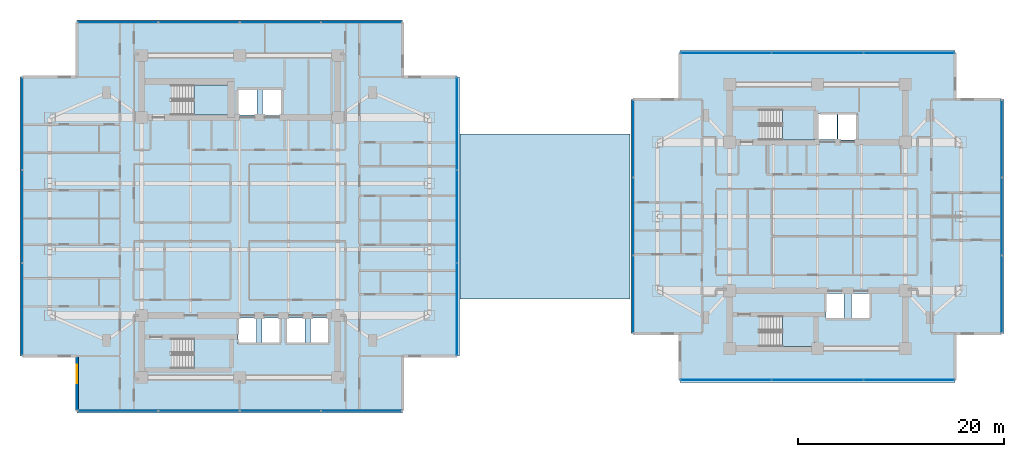
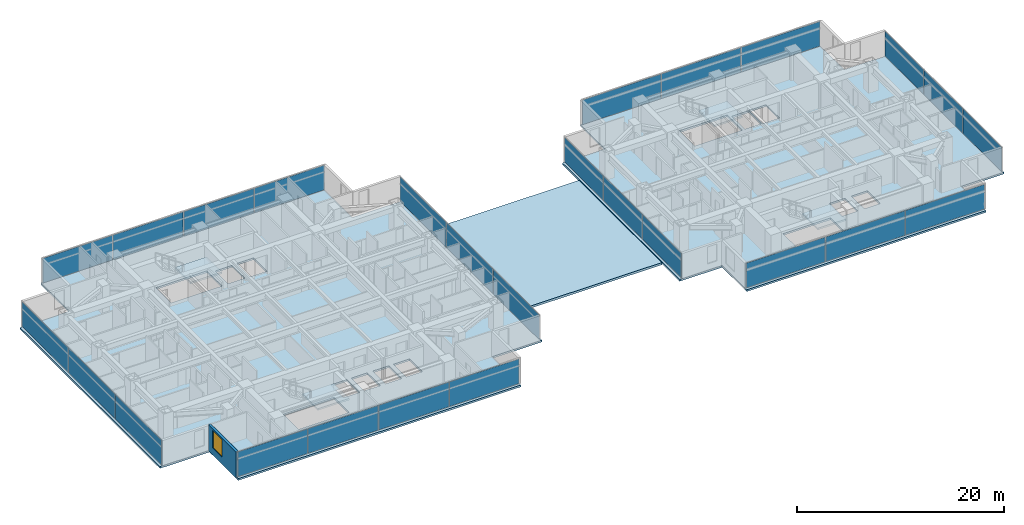
# One storey, part 12 of 26: 26 plates, 7 slabs, 1 wall, 1 window, 1 opening, 12 elements without a shape of their own.
"""IFC4 building model written with IfcOpenShell, lengths in metres."""

from ifc_helpers import new_model, si_unit, direction, frame, frame_2d, origin, origin_2d, place, context, subcontext, project, spatial, polyline, rectangle, outline, extrude, material, layer, layer_set, type_object, element, fill, aggregate, save


model = new_model("IFC4")

# Units and contexts
model_context = context("Model", 3, precision=1e-05, world=origin(), true_north=direction((0.0, 1.0)))
body_context = subcontext(model_context, "Body", "Model", "MODEL_VIEW")
ifc_project = project(units=[si_unit("LENGTHUNIT", "METRE"), si_unit("AREAUNIT", "SQUARE_METRE"), si_unit("VOLUMEUNIT", "CUBIC_METRE"), si_unit("PLANEANGLEUNIT", "RADIAN"), si_unit("MASSUNIT", "GRAM", prefix="KILO")], contexts=[model_context])

# Site, building, storey
site_placement = place(None, origin())
site = spatial("IfcSite", under=ifc_project, at=site_placement, CompositionType="ELEMENT")
building_placement = place(site_placement, origin())
building = spatial("IfcBuilding", under=site, at=building_placement, Name="Mirazonda Arch Towers", CompositionType="ELEMENT")
storey_placement = place(building_placement, frame((0.0, 0.0, 98.300048828125)))
storey = spatial("IfcBuildingStorey", under=building, at=storey_placement, Name="L27", CompositionType="ELEMENT", Elevation=98.300048828125)

# Curtain wall, plates
ifc_material_1 = material(Name="Anodised Aluminium and Low-E Glass", Category="aluminium")
curtain_wall_type = type_object("IfcCurtainWallType", Name="CW-HTL-UNIT", PredefinedType="NOTDEFINED", material=ifc_material_1)
curtain_wall_1_placement = place(storey_placement, origin())
curtain_wall_1 = element("IfcCurtainWall", 1, at=curtain_wall_1_placement, inside=storey, type_object=curtain_wall_type, Name="L27 T1 S Facade CW-L27-T1-S", PredefinedType="NOTDEFINED")
ifc_material_2 = material(Name="Insulated Low-E Solar Glass", Category="glass")
ifc_layer_1 = layer(ifc_material_2, 0.035888671875, Name="PAN-CW-HTL-UNIT")
ifc_layer_set_1 = layer_set([ifc_layer_1], Name="Insulated Low-E Solar Glass")
plate_type = type_object("IfcPlateType", Name="PAN-CW-HTL-UNIT", PredefinedType="CURTAIN_PANEL", material=ifc_layer_set_1)
plate_1_placement = place(storey_placement, frame((32.304931640625, 9.176025390625, 0.0751953125), z_axis=(0.0, 0.0, 1.0), x_axis=(-1.0, 0.0, 0.0)))
plate_1 = element("IfcPlate", 2, at=plate_1_placement, type_object=plate_type, Name="CW-112 panel 1.1", PredefinedType="CURTAIN_PANEL", context=body_context, shape_type="SweptSolid", body=[
    extrude(rectangle(XDim=7.77001953125, YDim=0.035888671875, at=origin_2d()), origin(), (0.0, 0.0, 1.0), 2.909912109375),
])
plate_2_placement = place(storey_placement, frame((24.441162109375, 9.176025390625, 0.0751953125), z_axis=(0.0, 0.0, 1.0), x_axis=(-1.0, 0.0, 0.0)))
plate_2 = element("IfcPlate", 3, at=plate_2_placement, type_object=plate_type, Name="CW-112 panel 2.1", PredefinedType="CURTAIN_PANEL", context=body_context, shape_type="SweptSolid", body=[
    extrude(rectangle(XDim=7.8076171875, YDim=0.035888671875, at=origin_2d()), origin(), (0.0, 0.0, 1.0), 2.909912109375),
])
plate_3_placement = place(storey_placement, frame((16.558837890625, 9.176025390625, 0.0751953125), z_axis=(0.0, 0.0, 1.0), x_axis=(-1.0, 0.0, 0.0)))
plate_3 = element("IfcPlate", 4, at=plate_3_placement, type_object=plate_type, Name="CW-112 panel 3.1", PredefinedType="CURTAIN_PANEL", context=body_context, shape_type="SweptSolid", body=[
    extrude(rectangle(XDim=7.8076171875, YDim=0.035888671875, at=origin_2d()), origin(), (0.0, 0.0, 1.0), 2.909912109375),
])
plate_4_placement = place(storey_placement, frame((8.695068359375, 9.176025390625, 0.0751953125), z_axis=(0.0, 0.0, 1.0), x_axis=(-1.0, 0.0, 0.0)))
plate_4 = element("IfcPlate", 5, at=plate_4_placement, type_object=plate_type, Name="CW-112 panel 4.1", PredefinedType="CURTAIN_PANEL", context=body_context, shape_type="SweptSolid", body=[
    extrude(rectangle(XDim=7.77001953125, YDim=0.035888671875, at=origin_2d()), origin(), (0.0, 0.0, 1.0), 2.909912109375),
])
aggregate(curtain_wall_1, [plate_1, plate_2, plate_3, plate_4])

curtain_wall_2_placement = place(storey_placement, origin())
curtain_wall_2 = element("IfcCurtainWall", 6, at=curtain_wall_2_placement, inside=storey, type_object=curtain_wall_type, Name="L27 T1 E Facade CW-L27-T1-E", PredefinedType="NOTDEFINED")
plate_5_placement = place(storey_placement, frame((41.570068359375, 19.006103515625, 0.0751953125), z_axis=(0.0, 0.0, 1.0), x_axis=(0.0, 1.0, 0.0)))
plate_5 = element("IfcPlate", 7, at=plate_5_placement, type_object=plate_type, Name="CW-112 panel 1.1", PredefinedType="CURTAIN_PANEL", context=body_context, shape_type="SweptSolid", body=[
    extrude(rectangle(XDim=8.900146484375, YDim=0.035888671875, at=origin_2d()), origin(), (0.0, 0.0, 1.0), 2.909912109375),
])
plate_6_placement = place(storey_placement, frame((41.570068359375, 28.0, 0.0751953125), z_axis=(0.0, 0.0, 1.0), x_axis=(0.0, 1.0, 0.0)))
plate_6 = element("IfcPlate", 8, at=plate_6_placement, type_object=plate_type, Name="CW-112 panel 2.1", PredefinedType="CURTAIN_PANEL", context=body_context, shape_type="SweptSolid", body=[
    extrude(rectangle(XDim=8.937744140625, YDim=0.035888671875, at=origin_2d()), origin(), (0.0, 0.0, 1.0), 2.909912109375),
])
plate_7_placement = place(storey_placement, frame((41.570068359375, 36.993896484375, 0.0751953125), z_axis=(0.0, 0.0, 1.0), x_axis=(0.0, 1.0, 0.0)))
plate_7 = element("IfcPlate", 9, at=plate_7_placement, type_object=plate_type, Name="CW-112 panel 3.1", PredefinedType="CURTAIN_PANEL", context=body_context, shape_type="SweptSolid", body=[
    extrude(rectangle(XDim=8.900146484375, YDim=0.035888671875, at=origin_2d()), origin(), (0.0, 0.0, 1.0), 2.909912109375),
])
aggregate(curtain_wall_2, [plate_5, plate_6, plate_7])

curtain_wall_3_placement = place(storey_placement, origin())
curtain_wall_3 = element("IfcCurtainWall", 10, at=curtain_wall_3_placement, inside=storey, type_object=curtain_wall_type, Name="L27 T1 N Facade CW-L27-T1-N", PredefinedType="NOTDEFINED")
plate_8_placement = place(storey_placement, frame((8.695068359375, 46.823974609375, 0.0751953125), z_axis=(0.0, 0.0, 1.0), x_axis=(1.0, 0.0, 0.0)))
plate_8 = element("IfcPlate", 11, at=plate_8_placement, type_object=plate_type, Name="CW-112 panel 1.1", PredefinedType="CURTAIN_PANEL", context=body_context, shape_type="SweptSolid", body=[
    extrude(rectangle(XDim=7.77001953125, YDim=0.035888671875, at=origin_2d()), origin(), (0.0, 0.0, 1.0), 2.909912109375),
])
plate_9_placement = place(storey_placement, frame((16.558837890625, 46.823974609375, 0.0751953125), z_axis=(0.0, 0.0, 1.0), x_axis=(1.0, 0.0, 0.0)))
plate_9 = element("IfcPlate", 12, at=plate_9_placement, type_object=plate_type, Name="CW-112 panel 2.1", PredefinedType="CURTAIN_PANEL", context=body_context, shape_type="SweptSolid", body=[
    extrude(rectangle(XDim=7.8076171875, YDim=0.035888671875, at=origin_2d()), origin(), (0.0, 0.0, 1.0), 2.909912109375),
])
plate_10_placement = place(storey_placement, frame((24.441162109375, 46.823974609375, 0.0751953125), z_axis=(0.0, 0.0, 1.0), x_axis=(1.0, 0.0, 0.0)))
plate_10 = element("IfcPlate", 13, at=plate_10_placement, type_object=plate_type, Name="CW-112 panel 3.1", PredefinedType="CURTAIN_PANEL", context=body_context, shape_type="SweptSolid", body=[
    extrude(rectangle(XDim=7.8076171875, YDim=0.035888671875, at=origin_2d()), origin(), (0.0, 0.0, 1.0), 2.909912109375),
])
plate_11_placement = place(storey_placement, frame((32.304931640625, 46.823974609375, 0.0751953125), z_axis=(0.0, 0.0, 1.0), x_axis=(1.0, 0.0, 0.0)))
plate_11 = element("IfcPlate", 14, at=plate_11_placement, type_object=plate_type, Name="CW-112 panel 4.1", PredefinedType="CURTAIN_PANEL", context=body_context, shape_type="SweptSolid", body=[
    extrude(rectangle(XDim=7.77001953125, YDim=0.035888671875, at=origin_2d()), origin(), (0.0, 0.0, 1.0), 2.909912109375),
])
aggregate(curtain_wall_3, [plate_8, plate_9, plate_10, plate_11])

curtain_wall_4_placement = place(storey_placement, origin())
curtain_wall_4 = element("IfcCurtainWall", 15, at=curtain_wall_4_placement, inside=storey, type_object=curtain_wall_type, Name="L27 T1 W Facade CW-L27-T1-W", PredefinedType="NOTDEFINED")
plate_12_placement = place(storey_placement, frame((-0.570068359375, 36.993896484375, 0.0751953125), z_axis=(0.0, 0.0, 1.0), x_axis=(0.0, -1.0, 0.0)))
plate_12 = element("IfcPlate", 16, at=plate_12_placement, type_object=plate_type, Name="CW-112 panel 1.1", PredefinedType="CURTAIN_PANEL", context=body_context, shape_type="SweptSolid", body=[
    extrude(rectangle(XDim=8.900146484375, YDim=0.035888671875, at=origin_2d()), origin(), (0.0, 0.0, 1.0), 2.909912109375),
])
plate_13_placement = place(storey_placement, frame((-0.570068359375, 28.0, 0.0751953125), z_axis=(0.0, 0.0, 1.0), x_axis=(0.0, -1.0, 0.0)))
plate_13 = element("IfcPlate", 17, at=plate_13_placement, type_object=plate_type, Name="CW-112 panel 2.1", PredefinedType="CURTAIN_PANEL", context=body_context, shape_type="SweptSolid", body=[
    extrude(rectangle(XDim=8.937744140625, YDim=0.035888671875, at=origin_2d()), origin(), (0.0, 0.0, 1.0), 2.909912109375),
])
plate_14_placement = place(storey_placement, frame((-0.570068359375, 19.006103515625, 0.0751953125), z_axis=(0.0, 0.0, 1.0), x_axis=(0.0, -1.0, 0.0)))
plate_14 = element("IfcPlate", 18, at=plate_14_placement, type_object=plate_type, Name="CW-112 panel 3.1", PredefinedType="CURTAIN_PANEL", context=body_context, shape_type="SweptSolid", body=[
    extrude(rectangle(XDim=8.900146484375, YDim=0.035888671875, at=origin_2d()), origin(), (0.0, 0.0, 1.0), 2.909912109375),
])
aggregate(curtain_wall_4, [plate_12, plate_13, plate_14])

curtain_wall_5_placement = place(storey_placement, origin())
curtain_wall_5 = element("IfcCurtainWall", 19, at=curtain_wall_5_placement, inside=storey, type_object=curtain_wall_type, Name="L27 T2 S Facade CW-L27-T2-S", PredefinedType="NOTDEFINED")
plate_15_placement = place(storey_placement, frame((85.374755859375, 12.152587890625, 0.0751953125), z_axis=(0.0, 0.0, 1.0), x_axis=(-1.0, 0.0, 0.0)))
plate_15 = element("IfcPlate", 20, at=plate_15_placement, type_object=plate_type, Name="CW-112 panel 1.1", PredefinedType="CURTAIN_PANEL", context=body_context, shape_type="SweptSolid", body=[
    extrude(rectangle(XDim=8.781005859375, YDim=0.035888671875, at=origin_2d()), origin(), (0.0, 0.0, 1.0), 2.909912109375),
])
plate_16_placement = place(storey_placement, frame((76.5, 12.152587890625, 0.0751953125), z_axis=(0.0, 0.0, 1.0), x_axis=(-1.0, 0.0, 0.0)))
plate_16 = element("IfcPlate", 21, at=plate_16_placement, type_object=plate_type, Name="CW-112 panel 2.1", PredefinedType="CURTAIN_PANEL", context=body_context, shape_type="SweptSolid", body=[
    extrude(rectangle(XDim=8.818359375, YDim=0.035888671875, at=origin_2d()), origin(), (0.0, 0.0, 1.0), 2.909912109375),
])
plate_17_placement = place(storey_placement, frame((67.625244140625, 12.152587890625, 0.0751953125), z_axis=(0.0, 0.0, 1.0), x_axis=(-1.0, 0.0, 0.0)))
plate_17 = element("IfcPlate", 22, at=plate_17_placement, type_object=plate_type, Name="CW-112 panel 3.1", PredefinedType="CURTAIN_PANEL", context=body_context, shape_type="SweptSolid", body=[
    extrude(rectangle(XDim=8.781005859375, YDim=0.035888671875, at=origin_2d()), origin(), (0.0, 0.0, 1.0), 2.909912109375),
])
aggregate(curtain_wall_5, [plate_15, plate_16, plate_17])

curtain_wall_6_placement = place(storey_placement, origin())
curtain_wall_6 = element("IfcCurtainWall", 23, at=curtain_wall_6_placement, inside=storey, type_object=curtain_wall_type, Name="L27 T2 E Facade CW-L27-T2-E", PredefinedType="NOTDEFINED")
plate_18_placement = place(storey_placement, frame((94.3564453125, 20.464599609375, 0.0751953125), z_axis=(0.0, 0.0, 1.0), x_axis=(0.0, 1.0, 0.0)))
plate_18 = element("IfcPlate", 24, at=plate_18_placement, type_object=plate_type, Name="CW-112 panel 1.1", PredefinedType="CURTAIN_PANEL", context=body_context, shape_type="SweptSolid", body=[
    extrude(rectangle(XDim=7.441650390625, YDim=0.035888671875, at=origin_2d()), origin(), (0.0, 0.0, 1.0), 2.909912109375),
])
plate_19_placement = place(storey_placement, frame((94.3564453125, 28.0, 0.0751953125), z_axis=(0.0, 0.0, 1.0), x_axis=(0.0, 1.0, 0.0)))
plate_19 = element("IfcPlate", 25, at=plate_19_placement, type_object=plate_type, Name="CW-112 panel 2.1", PredefinedType="CURTAIN_PANEL", context=body_context, shape_type="SweptSolid", body=[
    extrude(rectangle(XDim=7.47900390625, YDim=0.035888671875, at=origin_2d()), origin(), (0.0, 0.0, 1.0), 2.909912109375),
])
plate_20_placement = place(storey_placement, frame((94.3564453125, 35.535400390625, 0.0751953125), z_axis=(0.0, 0.0, 1.0), x_axis=(0.0, 1.0, 0.0)))
plate_20 = element("IfcPlate", 26, at=plate_20_placement, type_object=plate_type, Name="CW-112 panel 3.1", PredefinedType="CURTAIN_PANEL", context=body_context, shape_type="SweptSolid", body=[
    extrude(rectangle(XDim=7.441650390625, YDim=0.035888671875, at=origin_2d()), origin(), (0.0, 0.0, 1.0), 2.909912109375),
])
aggregate(curtain_wall_6, [plate_18, plate_19, plate_20])

curtain_wall_7_placement = place(storey_placement, origin())
curtain_wall_7 = element("IfcCurtainWall", 27, at=curtain_wall_7_placement, inside=storey, type_object=curtain_wall_type, Name="L27 T2 N Facade CW-L27-T2-N", PredefinedType="NOTDEFINED")
plate_21_placement = place(storey_placement, frame((67.625244140625, 43.847412109375, 0.0751953125), z_axis=(0.0, 0.0, 1.0), x_axis=(1.0, 0.0, 0.0)))
plate_21 = element("IfcPlate", 28, at=plate_21_placement, type_object=plate_type, Name="CW-112 panel 1.1", PredefinedType="CURTAIN_PANEL", context=body_context, shape_type="SweptSolid", body=[
    extrude(rectangle(XDim=8.781005859375, YDim=0.035888671875, at=origin_2d()), origin(), (0.0, 0.0, 1.0), 2.909912109375),
])
plate_22_placement = place(storey_placement, frame((76.5, 43.847412109375, 0.0751953125), z_axis=(0.0, 0.0, 1.0), x_axis=(1.0, 0.0, 0.0)))
plate_22 = element("IfcPlate", 29, at=plate_22_placement, type_object=plate_type, Name="CW-112 panel 2.1", PredefinedType="CURTAIN_PANEL", context=body_context, shape_type="SweptSolid", body=[
    extrude(rectangle(XDim=8.818359375, YDim=0.035888671875, at=origin_2d()), origin(), (0.0, 0.0, 1.0), 2.909912109375),
])
plate_23_placement = place(storey_placement, frame((85.374755859375, 43.847412109375, 0.0751953125), z_axis=(0.0, 0.0, 1.0), x_axis=(1.0, 0.0, 0.0)))
plate_23 = element("IfcPlate", 30, at=plate_23_placement, type_object=plate_type, Name="CW-112 panel 3.1", PredefinedType="CURTAIN_PANEL", context=body_context, shape_type="SweptSolid", body=[
    extrude(rectangle(XDim=8.781005859375, YDim=0.035888671875, at=origin_2d()), origin(), (0.0, 0.0, 1.0), 2.909912109375),
])
aggregate(curtain_wall_7, [plate_21, plate_22, plate_23])

curtain_wall_8_placement = place(storey_placement, origin())
curtain_wall_8 = element("IfcCurtainWall", 31, at=curtain_wall_8_placement, inside=storey, type_object=curtain_wall_type, Name="L27 T2 W Facade CW-L27-T2-W", PredefinedType="NOTDEFINED")
plate_24_placement = place(storey_placement, frame((58.6435546875, 35.535400390625, 0.0751953125), z_axis=(0.0, 0.0, 1.0), x_axis=(0.0, -1.0, 0.0)))
plate_24 = element("IfcPlate", 32, at=plate_24_placement, type_object=plate_type, Name="CW-112 panel 1.1", PredefinedType="CURTAIN_PANEL", context=body_context, shape_type="SweptSolid", body=[
    extrude(rectangle(XDim=7.441650390625, YDim=0.035888671875, at=origin_2d()), origin(), (0.0, 0.0, 1.0), 2.909912109375),
])
plate_25_placement = place(storey_placement, frame((58.6435546875, 28.0, 0.0751953125), z_axis=(0.0, 0.0, 1.0), x_axis=(0.0, -1.0, 0.0)))
plate_25 = element("IfcPlate", 33, at=plate_25_placement, type_object=plate_type, Name="CW-112 panel 2.1", PredefinedType="CURTAIN_PANEL", context=body_context, shape_type="SweptSolid", body=[
    extrude(rectangle(XDim=7.47900390625, YDim=0.035888671875, at=origin_2d()), origin(), (0.0, 0.0, 1.0), 2.909912109375),
])
plate_26_placement = place(storey_placement, frame((58.6435546875, 20.464599609375, 0.0751953125), z_axis=(0.0, 0.0, 1.0), x_axis=(0.0, -1.0, 0.0)))
plate_26 = element("IfcPlate", 34, at=plate_26_placement, type_object=plate_type, Name="CW-112 panel 3.1", PredefinedType="CURTAIN_PANEL", context=body_context, shape_type="SweptSolid", body=[
    extrude(rectangle(XDim=7.441650390625, YDim=0.035888671875, at=origin_2d()), origin(), (0.0, 0.0, 1.0), 2.909912109375),
])
aggregate(curtain_wall_8, [plate_24, plate_25, plate_26])

# Stair, slab
ifc_material_3 = material(Name="Concrete C40/50", Category="concrete")
stair_type = type_object("IfcStairType", Name="STAIR-CORE-1400", PredefinedType="HALF_TURN_STAIR", material=ifc_material_3)
stair_1_placement = place(storey_placement, origin())
stair_1 = element("IfcStair", 35, at=stair_1_placement, inside=storey, type_object=stair_type, Name="L27 Protected Exit Stair ST-T1N", PredefinedType="HALF_TURN_STAIR")
ifc_layer_2 = layer(ifc_material_3, 0.18994140625, Name="SLAB-LANDING-190")
ifc_layer_set_2 = layer_set([ifc_layer_2], Name="Concrete C40/50")
slab_type_1 = type_object("IfcSlabType", Name="SLAB-LANDING-190", PredefinedType="LANDING", material=ifc_layer_set_2)
slab_1_placement = place(storey_placement, frame((0.0, 0.0, 1.449951171875)))
slab_1 = element("IfcSlab", 36, at=slab_1_placement, type_object=slab_type_1, Name="ST-T1N landing 1", PredefinedType="LANDING", context=body_context, shape_type="SweptSolid", body=[
    extrude(outline(polyline([(16.090087890625, 37.820068359375), (19.60009765625, 37.820068359375), (19.60009765625, 40.760009765625), (16.090087890625, 40.760009765625), (16.090087890625, 37.820068359375)])), origin(), (0.0, 0.0, 1.0), 0.199951171875),
])
aggregate(stair_1, [slab_1])

stair_2_placement = place(storey_placement, origin())
stair_2 = element("IfcStair", 37, at=stair_2_placement, inside=storey, type_object=stair_type, Name="L27 Protected Exit Stair ST-T1S", PredefinedType="HALF_TURN_STAIR")
slab_2_placement = place(storey_placement, frame((0.0, 0.0, 1.449951171875)))
slab_2 = element("IfcSlab", 38, at=slab_2_placement, type_object=slab_type_1, Name="ST-T1S landing 1", PredefinedType="LANDING", context=body_context, shape_type="SweptSolid", body=[
    extrude(outline(polyline([(16.090087890625, 13.25), (19.60009765625, 13.25), (19.60009765625, 16.18994140625), (16.090087890625, 16.18994140625), (16.090087890625, 13.25)])), origin(), (0.0, 0.0, 1.0), 0.199951171875),
])
aggregate(stair_2, [slab_2])

stair_3_placement = place(storey_placement, origin())
stair_3 = element("IfcStair", 39, at=stair_3_placement, inside=storey, type_object=stair_type, Name="L27 Protected Exit Stair ST-T2N", PredefinedType="HALF_TURN_STAIR")
slab_3_placement = place(storey_placement, frame((0.0, 0.0, 1.449951171875)))
slab_3 = element("IfcSlab", 40, at=slab_3_placement, type_object=slab_type_1, Name="ST-T2N landing 1", PredefinedType="LANDING", context=body_context, shape_type="SweptSolid", body=[
    extrude(outline(polyline([(73.090087890625, 35.419921875), (76.22998046875, 35.419921875), (76.22998046875, 38.360107421875), (73.090087890625, 38.360107421875), (73.090087890625, 35.419921875)])), origin(), (0.0, 0.0, 1.0), 0.199951171875),
])
aggregate(stair_3, [slab_3])

stair_4_placement = place(storey_placement, origin())
stair_4 = element("IfcStair", 41, at=stair_4_placement, inside=storey, type_object=stair_type, Name="L27 Protected Exit Stair ST-T2S", PredefinedType="HALF_TURN_STAIR")
slab_4_placement = place(storey_placement, frame((0.0, 0.0, 1.449951171875)))
slab_4 = element("IfcSlab", 42, at=slab_4_placement, type_object=slab_type_1, Name="ST-T2S landing 1", PredefinedType="LANDING", context=body_context, shape_type="SweptSolid", body=[
    extrude(outline(polyline([(73.090087890625, 15.419921875), (76.22998046875, 15.419921875), (76.22998046875, 18.360107421875), (73.090087890625, 18.360107421875), (73.090087890625, 15.419921875)])), origin(), (0.0, 0.0, 1.0), 0.199951171875),
])
aggregate(stair_4, [slab_4])

# Slabs
ifc_layer_3 = layer(ifc_material_3, 0.260009765625, Name="SLAB-ROOF-260")
ifc_layer_set_3 = layer_set([ifc_layer_3], Name="Concrete C40/50")
slab_type_2 = type_object("IfcSlabType", Name="SLAB-ROOF-260", PredefinedType="ROOF", material=ifc_layer_set_3)
slab_5_placement = place(storey_placement, frame((0.0, 0.0, -0.260009765625)))
element("IfcSlab", 43, at=slab_5_placement, inside=storey, type_object=slab_type_2, Name="L27 Skybridge Weatherproof Roof Slab", PredefinedType="ROOF", context=body_context, shape_type="SweptSolid", body=[
    extrude(outline(polyline([(58.343505859375, 20.0), (58.343505859375, 36.0), (41.8701171875, 36.0), (41.8701171875, 20.0), (58.343505859375, 20.0)])), origin(), (0.0, 0.0, 1.0), 0.260009765625),
])
ifc_layer_4 = layer(ifc_material_3, 0.219970703125, Name="SLAB-TWR-220")
ifc_layer_set_4 = layer_set([ifc_layer_4], Name="Concrete C40/50")
slab_type_3 = type_object("IfcSlabType", Name="SLAB-TWR-220", PredefinedType="FLOOR", material=ifc_layer_set_4)
slab_6_placement = place(storey_placement, frame((0.0, 0.0, -0.219970703125)))
element("IfcSlab", 44, at=slab_6_placement, inside=storey, type_object=slab_type_3, Name="L27 Tower 1 Floor Slab", PredefinedType="FLOOR", context=body_context, shape_type="SweptSolid", body=[
    extrude(outline(polyline([(4.735107421875, 8.9560546875), (36.264892578125, 8.9560546875), (36.264892578125, 14.48095703125), (41.7900390625, 14.48095703125), (41.7900390625, 41.51904296875), (36.264892578125, 41.51904296875), (36.264892578125, 47.0439453125), (4.735107421875, 47.0439453125), (4.735107421875, 41.51904296875), (-0.7900390625, 41.51904296875), (-0.7900390625, 14.48095703125), (4.735107421875, 14.48095703125), (4.735107421875, 8.9560546875)]), holes=[polyline([(27.360107421875, 18.139892578125), (29.139892578125, 18.139892578125), (29.139892578125, 15.659912109375), (27.360107421875, 15.659912109375), (27.360107421875, 18.139892578125)]), polyline([(25.06005859375, 18.139892578125), (26.840087890625, 18.139892578125), (26.840087890625, 15.659912109375), (25.06005859375, 15.659912109375), (25.06005859375, 18.139892578125)]), polyline([(22.7099609375, 40.389892578125), (24.590087890625, 40.389892578125), (24.590087890625, 37.81005859375), (22.7099609375, 37.81005859375), (22.7099609375, 40.389892578125)]), polyline([(22.659912109375, 18.139892578125), (24.43994140625, 18.139892578125), (24.43994140625, 15.659912109375), (22.659912109375, 15.659912109375), (22.659912109375, 18.139892578125)]), polyline([(20.31005859375, 40.340087890625), (22.18994140625, 40.340087890625), (22.18994140625, 37.860107421875), (20.31005859375, 37.860107421875), (20.31005859375, 40.340087890625)]), polyline([(20.360107421875, 18.139892578125), (22.139892578125, 18.139892578125), (22.139892578125, 15.659912109375), (20.360107421875, 15.659912109375), (20.360107421875, 18.139892578125)]), polyline([(13.925048828125, 13.25), (13.925048828125, 16.18994140625), (19.60009765625, 16.18994140625), (19.60009765625, 13.25), (13.925048828125, 13.25)]), polyline([(13.925048828125, 37.820068359375), (13.925048828125, 40.760009765625), (19.60009765625, 40.760009765625), (19.60009765625, 37.820068359375), (13.925048828125, 37.820068359375)])]), origin(), (0.0, 0.0, 1.0), 0.219970703125),
])
slab_7_placement = place(storey_placement, frame((0.0, 0.0, -0.219970703125)))
element("IfcSlab", 45, at=slab_7_placement, inside=storey, type_object=slab_type_3, Name="L27 Tower 2 Floor Slab", PredefinedType="FLOOR", context=body_context, shape_type="SweptSolid", body=[
    extrude(outline(polyline([(63.159912109375, 11.9326171875), (89.840087890625, 11.9326171875), (89.840087890625, 16.6689453125), (94.576416015625, 16.6689453125), (94.576416015625, 39.3310546875), (89.840087890625, 39.3310546875), (89.840087890625, 44.0673828125), (63.159912109375, 44.0673828125), (63.159912109375, 39.3310546875), (58.423583984375, 39.3310546875), (58.423583984375, 16.6689453125), (63.159912109375, 16.6689453125), (63.159912109375, 11.9326171875)]), holes=[polyline([(79.81005859375, 20.5400390625), (81.590087890625, 20.5400390625), (81.590087890625, 18.06005859375), (79.81005859375, 18.06005859375), (79.81005859375, 20.5400390625)]), polyline([(78.47998046875, 37.989990234375), (80.360107421875, 37.989990234375), (80.360107421875, 35.409912109375), (78.47998046875, 35.409912109375), (78.47998046875, 37.989990234375)]), polyline([(77.31005859375, 20.5400390625), (79.090087890625, 20.5400390625), (79.090087890625, 18.06005859375), (77.31005859375, 18.06005859375), (77.31005859375, 20.5400390625)]), polyline([(76.510009765625, 35.4599609375), (76.510009765625, 37.93994140625), (78.389892578125, 37.93994140625), (78.389892578125, 35.4599609375), (76.510009765625, 35.4599609375)]), polyline([(76.22998046875, 15.419921875), (70.925048828125, 15.419921875), (70.925048828125, 18.360107421875), (76.22998046875, 18.360107421875), (76.22998046875, 15.419921875)]), polyline([(70.925048828125, 35.419921875), (70.925048828125, 38.360107421875), (76.22998046875, 38.360107421875), (76.22998046875, 35.419921875), (70.925048828125, 35.419921875)])]), origin(), (0.0, 0.0, 1.0), 0.219970703125),
])

# Wall, opening, window
ifc_material_4 = material(Name="Precast Concrete C40/50", Category="concrete")
ifc_layer_5 = layer(ifc_material_4, 0.280029296875, Name="WALL-EXT-WALL-280")
ifc_layer_set_5 = layer_set([ifc_layer_5], Name="Precast Concrete C40/50")
wall_type = type_object("IfcWallType", Name="WALL-EXT-WALL-280", PredefinedType="SOLIDWALL", material=ifc_layer_set_5)
wall_placement = place(storey_placement, frame((4.735107421875, 14.48095703125, 0.0), z_axis=(0.0, 0.0, 1.0), x_axis=(0.0, -1.0, 0.0)))
wall = element("IfcWall", 46, at=wall_placement, inside=storey, type_object=wall_type, Name="L27 T1 Notched SW Corner Wall WL-L27-T1-CSW", PredefinedType="SOLIDWALL", context=body_context, shape_type="SweptSolid", body=[
    extrude(rectangle(XDim=5.304931640625, YDim=0.280029296875, at=frame_2d((2.65234375, 0.0))), origin(), (0.0, 0.0, 1.0), 3.06005859375),
])
opening_placement = place(wall_placement, frame((0.85009765625, 0.0, 0.81005859375)))
opening = element("IfcOpeningElement", 47, at=opening_placement, cuts=wall, Name="Opening WN-116", PredefinedType="OPENING", context=body_context, shape_type="SweptSolid", body=[
    extrude(rectangle(XDim=1.800048828125, YDim=2.10009765625, at=frame_2d((0.89990234375, 1.050048828125))), frame((0.0, 0.14990234375, 0.0), z_axis=(0.0, -1.0, 0.0), x_axis=(1.0, 0.0, 0.0)), (0.0, 0.0, 1.0), 0.300048828125),
])
window_type = type_object("IfcWindowType", Name="WIN-HTL-1800x2100", PartitioningType="SINGLE_PANEL", PredefinedType="WINDOW", material=ifc_material_2)
window_placement = place(opening_placement, origin())
window = element("IfcWindow", 48, at=window_placement, inside=storey, type_object=window_type, Name="L27 Punched Facade Window WN-L27-T1-CSW", OverallHeight=2.10009765625, OverallWidth=1.800048828125, PartitioningType="SINGLE_PANEL", PredefinedType="WINDOW", context=body_context, shape_type="SweptSolid", body=[
    extrude(rectangle(XDim=1.800048828125, YDim=2.10009765625, at=frame_2d((0.89990234375, 1.050048828125))), frame((0.0, 0.030029296875, 0.0), z_axis=(0.0, -1.0, 0.0), x_axis=(1.0, 0.0, 0.0)), (0.0, 0.0, 1.0), 0.06005859375),
])
fill(opening, window)

save(model, "model.ifc")
